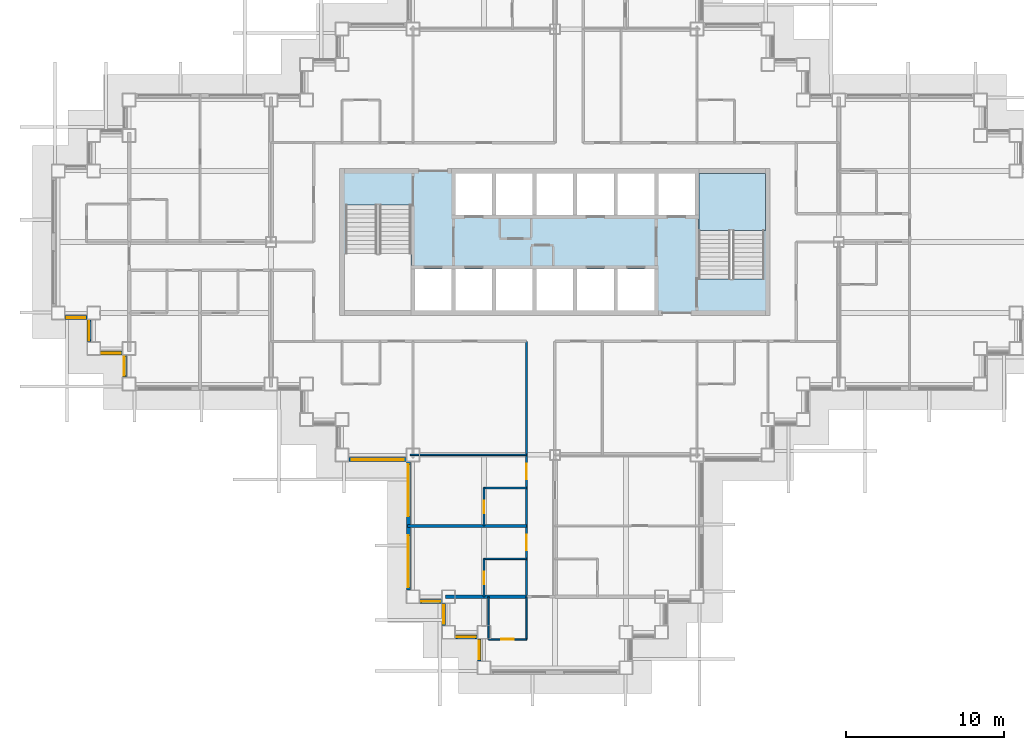
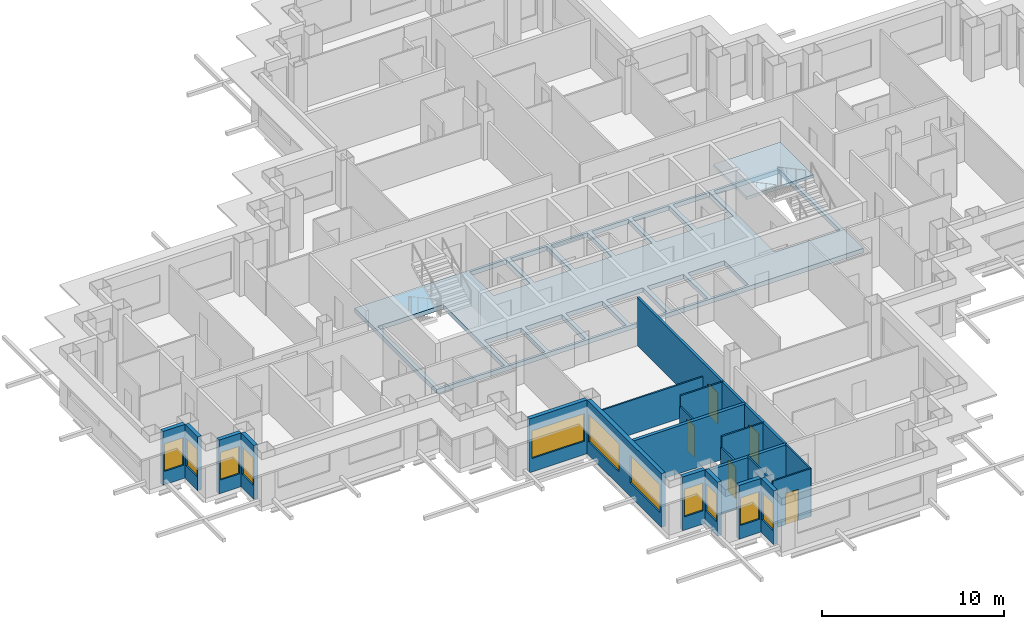
# One storey, part 4 of 17: 21 walls, 11 windows, 5 doors, 2 slabs, 16 openings, 1 element without a shape of its own.
"""IFC4 building model written with IfcOpenShell, lengths in metres."""

from ifc_helpers import new_model, si_unit, direction, frame, frame_2d, origin, place, context, subcontext, project, spatial, polyline, rectangle, outline, extrude, material, layer, layer_set, type_object, element, fill, aggregate, save


model = new_model("IFC4")

# Units and contexts
model_context = context("Model", 3, precision=1e-05, world=origin(), true_north=direction((0.0, 1.0)))
body_context = subcontext(model_context, "Body", "Model", "MODEL_VIEW")
ifc_project = project(units=[si_unit("LENGTHUNIT", "METRE"), si_unit("AREAUNIT", "SQUARE_METRE"), si_unit("VOLUMEUNIT", "CUBIC_METRE"), si_unit("PLANEANGLEUNIT", "RADIAN"), si_unit("MASSUNIT", "GRAM", prefix="KILO")], contexts=[model_context])

# Site, building, storey
site_placement = place(None, origin())
site = spatial("IfcSite", under=ifc_project, at=site_placement, CompositionType="ELEMENT")
building_placement = place(site_placement, origin())
building = spatial("IfcBuilding", under=site, at=building_placement, Name="Caravel Reach Hotel and Residences", CompositionType="ELEMENT")
storey_placement = place(building_placement, frame((0.0, 0.0, 136.800048828125)))
storey = spatial("IfcBuildingStorey", under=building, at=storey_placement, Name="L34", CompositionType="ELEMENT", Elevation=136.800048828125)

# Slab
ifc_material_1 = material(Name="Concrete C40", Category="concrete")
ifc_layer_1 = layer(ifc_material_1, 0.300048828125)
ifc_layer_set_1 = layer_set([ifc_layer_1], Name="Core floor slab 300 mm")
slab_type_1 = type_object("IfcSlabType", Name="Core floor slab 300 mm", PredefinedType="FLOOR", material=ifc_layer_set_1)
slab_1_placement = place(storey_placement, frame((0.0, 0.0, -0.300048828125)))
element("IfcSlab", 1, at=slab_1_placement, inside=storey, type_object=slab_type_1, Name="L34 core floor", PredefinedType="FLOOR", context=body_context, shape_type="SweptSolid", body=[
    extrude(outline(polyline([(18.0, 31.5), (45.0, 31.5), (45.0, 22.5), (18.0, 22.5), (18.0, 31.5)]), holes=[polyline([(22.625, 25.27490234375), (22.625, 22.64990234375), (24.9462890625, 22.64990234375), (24.9462890625, 25.27490234375), (22.625, 25.27490234375)]), polyline([(27.517822265625, 25.27490234375), (25.1962890625, 25.27490234375), (25.1962890625, 22.64990234375), (27.517822265625, 22.64990234375), (27.517822265625, 25.27490234375)]), polyline([(30.08935546875, 25.27490234375), (27.767822265625, 25.27490234375), (27.767822265625, 22.64990234375), (30.08935546875, 22.64990234375), (30.08935546875, 25.27490234375)]), polyline([(32.66064453125, 25.27490234375), (30.33935546875, 25.27490234375), (30.33935546875, 22.64990234375), (32.66064453125, 22.64990234375), (32.66064453125, 25.27490234375)]), polyline([(18.22509765625, 22.64990234375), (22.375, 22.64990234375), (22.375, 29.35009765625), (18.22509765625, 29.35009765625), (18.22509765625, 22.64990234375)]), polyline([(27.517822265625, 31.35009765625), (25.1962890625, 31.35009765625), (25.1962890625, 28.72509765625), (27.517822265625, 28.72509765625), (27.517822265625, 31.35009765625)]), polyline([(30.08935546875, 31.35009765625), (27.767822265625, 31.35009765625), (27.767822265625, 28.72509765625), (30.08935546875, 28.72509765625), (30.08935546875, 31.35009765625)]), polyline([(32.91064453125, 25.27490234375), (32.91064453125, 22.64990234375), (35.232177734375, 22.64990234375), (35.232177734375, 25.27490234375), (32.91064453125, 25.27490234375)]), polyline([(37.8037109375, 25.27490234375), (35.482177734375, 25.27490234375), (35.482177734375, 22.64990234375), (37.8037109375, 22.64990234375), (37.8037109375, 25.27490234375)]), polyline([(44.77490234375, 31.35009765625), (40.625, 31.35009765625), (40.625, 24.64990234375), (44.77490234375, 24.64990234375), (44.77490234375, 31.35009765625)]), polyline([(32.66064453125, 31.35009765625), (30.33935546875, 31.35009765625), (30.33935546875, 28.72509765625), (32.66064453125, 28.72509765625), (32.66064453125, 31.35009765625)]), polyline([(35.232177734375, 31.35009765625), (32.91064453125, 31.35009765625), (32.91064453125, 28.72509765625), (35.232177734375, 28.72509765625), (35.232177734375, 31.35009765625)]), polyline([(37.8037109375, 31.35009765625), (35.482177734375, 31.35009765625), (35.482177734375, 28.72509765625), (37.8037109375, 28.72509765625), (37.8037109375, 31.35009765625)]), polyline([(40.375, 31.35009765625), (38.0537109375, 31.35009765625), (38.0537109375, 28.72509765625), (40.375, 28.72509765625), (40.375, 31.35009765625)])]), origin(), (0.0, 0.0, 1.0), 0.300048828125),
])

# Stair, slab
ifc_material_2 = material(Name="Concrete C40", Category="concrete")
stair_type = type_object("IfcStairType", Name="Core stair", PredefinedType="HALF_TURN_STAIR", material=ifc_material_2)
stair_placement = place(storey_placement, origin())
stair = element("IfcStair", 2, at=stair_placement, inside=storey, type_object=stair_type, Name="L34 Exit stair B", PredefinedType="HALF_TURN_STAIR")
ifc_material_3 = material(Name="Concrete C40", Category="concrete")
ifc_layer_2 = layer(ifc_material_3, 0.199951171875)
ifc_layer_set_2 = layer_set([ifc_layer_2], Name="Core stair landing")
slab_type_2 = type_object("IfcSlabType", Name="Core stair landing", PredefinedType="LANDING", material=ifc_layer_set_2)
slab_2_placement = place(storey_placement, frame((0.0, 0.0, 1.599853515625)))
slab_2 = element("IfcSlab", 3, at=slab_2_placement, type_object=slab_type_2, Name="ST-B landing 1", PredefinedType="LANDING", context=body_context, shape_type="SweptSolid", body=[
    extrude(outline(polyline([(44.85009765625, 27.72998046875), (44.85009765625, 31.35009765625), (40.625, 31.35009765625), (40.625, 27.72998046875), (44.85009765625, 27.72998046875)])), origin(), (0.0, 0.0, 1.0), 0.2001953125),
])
aggregate(stair, [slab_2])

# Wall, opening, door
ifc_material_4 = material(Name="Gypsum board on steel stud", Category="steel")
ifc_layer_3 = layer(ifc_material_4, 0.10009765625)
ifc_layer_set_3 = layer_set([ifc_layer_3], Name="Bathroom pod wall 100 mm")
wall_type_1 = type_object("IfcWallType", Name="Bathroom pod wall 100 mm", PredefinedType="PARTITIONING", material=ifc_layer_set_3)
wall_1_placement = place(storey_placement, frame((27.300048828125, 1.800048828125, 0.0), z_axis=(0.0, 0.0, 1.0), x_axis=(1.0, 0.0, 0.0)))
wall_1 = element("IfcWall", 4, at=wall_1_placement, inside=storey, type_object=wall_type_1, Name="L34 wall w081", PredefinedType="PARTITIONING", context=body_context, shape_type="SweptSolid", body=[
    extrude(rectangle(XDim=2.39990234375, YDim=0.10009765625, at=frame_2d((1.199951171875, 0.0))), origin(), (0.0, 0.0, 1.0), 3.199951171875),
])
opening_1_placement = place(wall_1_placement, frame((0.800048828125, 0.0, 0.0)))
opening_1 = element("IfcOpeningElement", 5, at=opening_1_placement, cuts=wall_1, Name="Opening D34-047", PredefinedType="OPENING", context=body_context, shape_type="SweptSolid", body=[
    extrude(rectangle(XDim=0.800048828125, YDim=2.10009765625, at=frame_2d((0.39990234375, 1.050048828125))), frame((0.0, 0.06005859375, 0.0), z_axis=(0.0, -1.0, 0.0), x_axis=(1.0, 0.0, 0.0)), (0.0, 0.0, 1.0), 0.1201171875),
])
ifc_material_5 = material(Name="Timber and steel door leaf", Category="steel")
door_type_1 = type_object("IfcDoorType", Name="Bathroom door 800 x 2100", OperationType="SINGLE_SWING_LEFT", PredefinedType="DOOR", material=ifc_material_5)
door_1_placement = place(opening_1_placement, origin())
door_1 = element("IfcDoor", 6, at=door_1_placement, inside=storey, type_object=door_type_1, Name="door D34-047", OperationType="SINGLE_SWING_LEFT", OverallHeight=2.10009765625, OverallWidth=0.800048828125, PredefinedType="DOOR", context=body_context, shape_type="SweptSolid", body=[
    extrude(rectangle(XDim=0.800048828125, YDim=2.10009765625, at=frame_2d((0.39990234375, 1.050048828125))), frame((0.0, 0.02490234375, 0.0), z_axis=(0.0, -1.0, 0.0), x_axis=(1.0, 0.0, 0.0)), (0.0, 0.0, 1.0), 0.050048828125),
])
fill(opening_1, door_1)

# Walls
for number, where, z_axis, x_axis, name in (
    (7, (27.0, 11.39990234375, 0.0), (0.0, 0.0, 1.0), (1.0, 0.0, 0.0), "L34 wall w082"),
    (8, (27.0, 6.89990234375, 0.0), (0.0, 0.0, 1.0), (1.0, 0.0, 0.0), "L34 wall w098"),
):
    element("IfcWall", number, at=place(storey_placement, frame(where, z_axis=z_axis, x_axis=x_axis)), inside=storey, type_object=wall_type_1, Name=name, PredefinedType="PARTITIONING", context=body_context, shape_type="SweptSolid", body=[
        extrude(rectangle(XDim=2.699951171875, YDim=0.10009765625, at=frame_2d((1.35009765625, 0.0))), origin(), (0.0, 0.0, 1.0), 3.199951171875),
    ])

# Wall, opening, door
wall_2_placement = place(storey_placement, frame((27.0, 9.0, 0.0), z_axis=(0.0, 0.0, 1.0), x_axis=(0.0, 1.0, 0.0)))
wall_2 = element("IfcWall", 9, at=wall_2_placement, inside=storey, type_object=wall_type_1, Name="L34 wall w106", PredefinedType="PARTITIONING", context=body_context, shape_type="SweptSolid", body=[
    extrude(rectangle(XDim=2.39990234375, YDim=0.10009765625, at=frame_2d((1.199951171875, 0.0))), origin(), (0.0, 0.0, 1.0), 2.47998046875),
])
opening_2_placement = place(wall_2_placement, frame((0.800048828125, 0.0, 0.0)))
opening_2 = element("IfcOpeningElement", 10, at=opening_2_placement, cuts=wall_2, Name="Opening D34-036", PredefinedType="OPENING", context=body_context, shape_type="SweptSolid", body=[
    extrude(rectangle(XDim=0.800048828125, YDim=2.10009765625, at=frame_2d((0.39990234375, 1.050048828125))), frame((0.0, 0.06005859375, 0.0), z_axis=(0.0, -1.0, 0.0), x_axis=(1.0, 0.0, 0.0)), (0.0, 0.0, 1.0), 0.1201171875),
])
door_2_placement = place(opening_2_placement, origin())
door_2 = element("IfcDoor", 11, at=door_2_placement, inside=storey, type_object=door_type_1, Name="door D34-036", OperationType="SINGLE_SWING_RIGHT", OverallHeight=2.10009765625, OverallWidth=0.800048828125, PredefinedType="DOOR", context=body_context, shape_type="SweptSolid", body=[
    extrude(rectangle(XDim=0.800048828125, YDim=2.10009765625, at=frame_2d((0.39990234375, 1.050048828125))), frame((0.0, 0.02490234375, 0.0), z_axis=(0.0, -1.0, 0.0), x_axis=(1.0, 0.0, 0.0)), (0.0, 0.0, 1.0), 0.050048828125),
])
fill(opening_2, door_2)

wall_3_placement = place(storey_placement, frame((27.0, 4.5, 0.0), z_axis=(0.0, 0.0, 1.0), x_axis=(0.0, 1.0, 0.0)))
wall_3 = element("IfcWall", 12, at=wall_3_placement, inside=storey, type_object=wall_type_1, Name="L34 wall w107", PredefinedType="PARTITIONING", context=body_context, shape_type="SweptSolid", body=[
    extrude(rectangle(XDim=2.39990234375, YDim=0.10009765625, at=frame_2d((1.199951171875, 0.0))), origin(), (0.0, 0.0, 1.0), 2.47998046875),
])
opening_3_placement = place(wall_3_placement, frame((0.800048828125, 0.0, 0.0)))
opening_3 = element("IfcOpeningElement", 13, at=opening_3_placement, cuts=wall_3, Name="Opening D34-038", PredefinedType="OPENING", context=body_context, shape_type="SweptSolid", body=[
    extrude(rectangle(XDim=0.800048828125, YDim=2.10009765625, at=frame_2d((0.39990234375, 1.050048828125))), frame((0.0, 0.06005859375, 0.0), z_axis=(0.0, -1.0, 0.0), x_axis=(1.0, 0.0, 0.0)), (0.0, 0.0, 1.0), 0.1201171875),
])
door_3_placement = place(opening_3_placement, origin())
door_3 = element("IfcDoor", 14, at=door_3_placement, inside=storey, type_object=door_type_1, Name="door D34-038", OperationType="SINGLE_SWING_LEFT", OverallHeight=2.10009765625, OverallWidth=0.800048828125, PredefinedType="DOOR", context=body_context, shape_type="SweptSolid", body=[
    extrude(rectangle(XDim=0.800048828125, YDim=2.10009765625, at=frame_2d((0.39990234375, 1.050048828125))), frame((0.0, 0.02490234375, 0.0), z_axis=(0.0, -1.0, 0.0), x_axis=(1.0, 0.0, 0.0)), (0.0, 0.0, 1.0), 0.050048828125),
])
fill(opening_3, door_3)

# Walls
for number, where, z_axis, x_axis, name in (
    (15, (27.300048828125, 1.800048828125, 0.0), (0.0, 0.0, 1.0), (0.0, 1.0, 0.0), "L34 wall w108"),
    (16, (29.699951171875, 1.800048828125, 0.0), (0.0, 0.0, 1.0), (0.0, 1.0, 0.0), "L34 wall w111"),
):
    element("IfcWall", number, at=place(storey_placement, frame(where, z_axis=z_axis, x_axis=x_axis)), inside=storey, type_object=wall_type_1, Name=name, PredefinedType="PARTITIONING", context=body_context, shape_type="SweptSolid", body=[
        extrude(rectangle(XDim=2.699951171875, YDim=0.10009765625, at=frame_2d((1.35009765625, 0.0))), origin(), (0.0, 0.0, 1.0), 3.199951171875),
    ])

# Wall, openings, doors
ifc_material_6 = material(Name="Gypsum board on steel stud, fire-rated", Category="steel")
ifc_layer_4 = layer(ifc_material_6, 0.14990234375)
ifc_layer_set_4 = layer_set([ifc_layer_4], Name="Corridor wall 150 mm EI 60")
wall_type_2 = type_object("IfcWallType", Name="Corridor wall 150 mm EI 60", PredefinedType="PARTITIONING", material=ifc_layer_set_4)
wall_4_placement = place(storey_placement, frame((29.699951171875, 4.5, 0.0), z_axis=(0.0, 0.0, 1.0), x_axis=(0.0, 1.0, 0.0)))
wall_4 = element("IfcWall", 17, at=wall_4_placement, inside=storey, type_object=wall_type_2, Name="L34 wall w027", PredefinedType="PARTITIONING", context=body_context, shape_type="SweptSolid", body=[
    extrude(rectangle(XDim=16.199951171875, YDim=0.14990234375, at=frame_2d((8.10009765625, 0.0))), origin(), (0.0, 0.0, 1.0), 3.199951171875),
])
opening_4_placement = place(wall_4_placement, frame((7.449951171875, 0.0, 0.0)))
opening_4 = element("IfcOpeningElement", 18, at=opening_4_placement, cuts=wall_4, Name="Opening D34-035", PredefinedType="OPENING", context=body_context, shape_type="SweptSolid", body=[
    extrude(rectangle(XDim=1.0, YDim=2.10009765625, at=frame_2d((0.5, 1.050048828125))), frame((0.0, 0.0849609375, 0.0), z_axis=(0.0, -1.0, 0.0), x_axis=(1.0, 0.0, 0.0)), (0.0, 0.0, 1.0), 0.169921875),
])
opening_5_placement = place(wall_4_placement, frame((2.949951171875, 0.0, 0.0)))
opening_5 = element("IfcOpeningElement", 19, at=opening_5_placement, cuts=wall_4, Name="Opening D34-037", PredefinedType="OPENING", context=body_context, shape_type="SweptSolid", body=[
    extrude(rectangle(XDim=1.0, YDim=2.10009765625, at=frame_2d((0.5, 1.050048828125))), frame((0.0, 0.0849609375, 0.0), z_axis=(0.0, -1.0, 0.0), x_axis=(1.0, 0.0, 0.0)), (0.0, 0.0, 1.0), 0.169921875),
])
ifc_material_7 = material(Name="Steel fire door leaf", Category="steel")
door_type_2 = type_object("IfcDoorType", Name="Guest room door 1000 x 2100 EI 30", OperationType="SINGLE_SWING_LEFT", PredefinedType="DOOR", material=ifc_material_7)
door_4_placement = place(opening_4_placement, origin())
door_4 = element("IfcDoor", 20, at=door_4_placement, inside=storey, type_object=door_type_2, Name="door D34-035", OperationType="SINGLE_SWING_RIGHT", OverallHeight=2.10009765625, OverallWidth=1.0, PredefinedType="DOOR", context=body_context, shape_type="SweptSolid", body=[
    extrude(rectangle(XDim=1.0, YDim=2.10009765625, at=frame_2d((0.5, 1.050048828125))), frame((0.0, 0.02490234375, 0.0), z_axis=(0.0, -1.0, 0.0), x_axis=(1.0, 0.0, 0.0)), (0.0, 0.0, 1.0), 0.050048828125),
])
fill(opening_4, door_4)
door_5_placement = place(opening_5_placement, origin())
door_5 = element("IfcDoor", 21, at=door_5_placement, inside=storey, type_object=door_type_2, Name="door D34-037", OperationType="SINGLE_SWING_RIGHT", OverallHeight=2.10009765625, OverallWidth=1.0, PredefinedType="DOOR", context=body_context, shape_type="SweptSolid", body=[
    extrude(rectangle(XDim=1.0, YDim=2.10009765625, at=frame_2d((0.5, 1.050048828125))), frame((0.0, 0.02490234375, 0.0), z_axis=(0.0, -1.0, 0.0), x_axis=(1.0, 0.0, 0.0)), (0.0, 0.0, 1.0), 0.050048828125),
])
fill(opening_5, door_5)

# Wall, opening, window
ifc_material_8 = material(Name="Insulated rainscreen wall, aluminium cladding", Category="aluminium")
ifc_layer_5 = layer(ifc_material_8, 0.25)
ifc_layer_set_5 = layer_set([ifc_layer_5], Name="EW1 Tower rainscreen wall")
wall_type_3 = type_object("IfcWallType", Name="EW1 Tower rainscreen wall", PredefinedType="SOLIDWALL", material=ifc_layer_set_5)
wall_5_placement = place(storey_placement, frame((22.925048828125, 4.199951171875, 0.0), z_axis=(0.0, 0.0, 1.0), x_axis=(1.0, 0.0, 0.0)))
wall_5 = element("IfcWall", 22, at=wall_5_placement, inside=storey, type_object=wall_type_3, Name="External wall L34 S1.1", PredefinedType="SOLIDWALL", context=body_context, shape_type="SweptSolid", body=[
    extrude(rectangle(XDim=1.39990234375, YDim=0.25, at=frame_2d((0.699951171875, 0.0))), origin(), (0.0, 0.0, 1.0), 3.599853515625),
])
opening_6_placement = place(wall_5_placement, frame((0.10009765625, 0.0, 0.89990234375)))
opening_6 = element("IfcOpeningElement", 23, at=opening_6_placement, cuts=wall_5, Name="Opening WN10", PredefinedType="OPENING", context=body_context, shape_type="SweptSolid", body=[
    extrude(rectangle(XDim=1.199951171875, YDim=1.85009765625, at=frame_2d((0.60009765625, 0.925048828125))), frame((0.0, 0.135009765625, 0.0), z_axis=(0.0, -1.0, 0.0), x_axis=(1.0, 0.0, 0.0)), (0.0, 0.0, 1.0), 0.27001953125),
])
ifc_material_9 = material(Name="Dark low-e glazing in black aluminium frame", Category="aluminium")
window_type_1 = type_object("IfcWindowType", Name="Hotel suite corner window 1200 x 1850", PartitioningType="SINGLE_PANEL", PredefinedType="WINDOW", material=ifc_material_9)
window_1_placement = place(opening_6_placement, origin())
window_1 = element("IfcWindow", 24, at=window_1_placement, inside=storey, type_object=window_type_1, Name="Window L34 S1.1.1", OverallHeight=1.85009765625, OverallWidth=1.199951171875, PartitioningType="SINGLE_PANEL", PredefinedType="WINDOW", context=body_context, shape_type="SweptSolid", body=[
    extrude(rectangle(XDim=1.199951171875, YDim=1.85009765625, at=frame_2d((0.60009765625, 0.925048828125))), frame((0.0, 0.030029296875, 0.0), z_axis=(0.0, -1.0, 0.0), x_axis=(1.0, 0.0, 0.0)), (0.0, 0.0, 1.0), 0.06005859375),
])
fill(opening_6, window_1)

wall_6_placement = place(storey_placement, frame((24.449951171875, 4.074951171875, 0.0), z_axis=(0.0, 0.0, 1.0), x_axis=(0.0, -1.0, 0.0)))
wall_6 = element("IfcWall", 25, at=wall_6_placement, inside=storey, type_object=wall_type_3, Name="External wall L34 W2.1", PredefinedType="SOLIDWALL", context=body_context, shape_type="SweptSolid", body=[
    extrude(rectangle(XDim=1.39990234375, YDim=0.25, at=frame_2d((0.699951171875, 0.0))), origin(), (0.0, 0.0, 1.0), 3.599853515625),
])
opening_7_placement = place(wall_6_placement, frame((0.10009765625, 0.0, 0.89990234375)))
opening_7 = element("IfcOpeningElement", 26, at=opening_7_placement, cuts=wall_6, Name="Opening WN10", PredefinedType="OPENING", context=body_context, shape_type="SweptSolid", body=[
    extrude(rectangle(XDim=1.199951171875, YDim=1.85009765625, at=frame_2d((0.60009765625, 0.925048828125))), frame((0.0, 0.135009765625, 0.0), z_axis=(0.0, -1.0, 0.0), x_axis=(1.0, 0.0, 0.0)), (0.0, 0.0, 1.0), 0.27001953125),
])
window_2_placement = place(opening_7_placement, origin())
window_2 = element("IfcWindow", 27, at=window_2_placement, inside=storey, type_object=window_type_1, Name="Window L34 W2.1.1", OverallHeight=1.85009765625, OverallWidth=1.199951171875, PartitioningType="SINGLE_PANEL", PredefinedType="WINDOW", context=body_context, shape_type="SweptSolid", body=[
    extrude(rectangle(XDim=1.199951171875, YDim=1.85009765625, at=frame_2d((0.60009765625, 0.925048828125))), frame((0.0, 0.030029296875, 0.0), z_axis=(0.0, -1.0, 0.0), x_axis=(1.0, 0.0, 0.0)), (0.0, 0.0, 1.0), 0.06005859375),
])
fill(opening_7, window_2)

wall_7_placement = place(storey_placement, frame((25.175048828125, 1.949951171875, 0.0), z_axis=(0.0, 0.0, 1.0), x_axis=(1.0, 0.0, 0.0)))
wall_7 = element("IfcWall", 28, at=wall_7_placement, inside=storey, type_object=wall_type_3, Name="External wall L34 S3.1", PredefinedType="SOLIDWALL", context=body_context, shape_type="SweptSolid", body=[
    extrude(rectangle(XDim=1.39990234375, YDim=0.25, at=frame_2d((0.699951171875, 0.0))), origin(), (0.0, 0.0, 1.0), 3.599853515625),
])
opening_8_placement = place(wall_7_placement, frame((0.10009765625, 0.0, 0.89990234375)))
opening_8 = element("IfcOpeningElement", 29, at=opening_8_placement, cuts=wall_7, Name="Opening WN10", PredefinedType="OPENING", context=body_context, shape_type="SweptSolid", body=[
    extrude(rectangle(XDim=1.199951171875, YDim=1.85009765625, at=frame_2d((0.60009765625, 0.925048828125))), frame((0.0, 0.135009765625, 0.0), z_axis=(0.0, -1.0, 0.0), x_axis=(1.0, 0.0, 0.0)), (0.0, 0.0, 1.0), 0.27001953125),
])
window_3_placement = place(opening_8_placement, origin())
window_3 = element("IfcWindow", 30, at=window_3_placement, inside=storey, type_object=window_type_1, Name="Window L34 S3.1.1", OverallHeight=1.85009765625, OverallWidth=1.199951171875, PartitioningType="SINGLE_PANEL", PredefinedType="WINDOW", context=body_context, shape_type="SweptSolid", body=[
    extrude(rectangle(XDim=1.199951171875, YDim=1.85009765625, at=frame_2d((0.60009765625, 0.925048828125))), frame((0.0, 0.030029296875, 0.0), z_axis=(0.0, -1.0, 0.0), x_axis=(1.0, 0.0, 0.0)), (0.0, 0.0, 1.0), 0.06005859375),
])
fill(opening_8, window_3)

wall_8_placement = place(storey_placement, frame((26.699951171875, 1.824951171875, 0.0), z_axis=(0.0, 0.0, 1.0), x_axis=(0.0, -1.0, 0.0)))
wall_8 = element("IfcWall", 31, at=wall_8_placement, inside=storey, type_object=wall_type_3, Name="External wall L34 W4.1", PredefinedType="SOLIDWALL", context=body_context, shape_type="SweptSolid", body=[
    extrude(rectangle(XDim=1.39990234375, YDim=0.25, at=frame_2d((0.699951171875, 0.0))), origin(), (0.0, 0.0, 1.0), 3.599853515625),
])
opening_9_placement = place(wall_8_placement, frame((0.10009765625, 0.0, 0.89990234375)))
opening_9 = element("IfcOpeningElement", 32, at=opening_9_placement, cuts=wall_8, Name="Opening WN10", PredefinedType="OPENING", context=body_context, shape_type="SweptSolid", body=[
    extrude(rectangle(XDim=1.199951171875, YDim=1.85009765625, at=frame_2d((0.60009765625, 0.925048828125))), frame((0.0, 0.135009765625, 0.0), z_axis=(0.0, -1.0, 0.0), x_axis=(1.0, 0.0, 0.0)), (0.0, 0.0, 1.0), 0.27001953125),
])
window_4_placement = place(opening_9_placement, origin())
window_4 = element("IfcWindow", 33, at=window_4_placement, inside=storey, type_object=window_type_1, Name="Window L34 W4.1.1", OverallHeight=1.85009765625, OverallWidth=1.199951171875, PartitioningType="SINGLE_PANEL", PredefinedType="WINDOW", context=body_context, shape_type="SweptSolid", body=[
    extrude(rectangle(XDim=1.199951171875, YDim=1.85009765625, at=frame_2d((0.60009765625, 0.925048828125))), frame((0.0, 0.030029296875, 0.0), z_axis=(0.0, -1.0, 0.0), x_axis=(1.0, 0.0, 0.0)), (0.0, 0.0, 1.0), 0.06005859375),
])
fill(opening_9, window_4)

wall_9_placement = place(storey_placement, frame((0.425048828125, 22.199951171875, 0.0), z_axis=(0.0, 0.0, 1.0), x_axis=(1.0, 0.0, 0.0)))
wall_9 = element("IfcWall", 34, at=wall_9_placement, inside=storey, type_object=wall_type_3, Name="External wall L34 S51.1", PredefinedType="SOLIDWALL", context=body_context, shape_type="SweptSolid", body=[
    extrude(rectangle(XDim=1.39990234375, YDim=0.25, at=frame_2d((0.699951171875, 0.0))), origin(), (0.0, 0.0, 1.0), 3.599853515625),
])
opening_10_placement = place(wall_9_placement, frame((0.10009765625, 0.0, 0.89990234375)))
opening_10 = element("IfcOpeningElement", 35, at=opening_10_placement, cuts=wall_9, Name="Opening WN10", PredefinedType="OPENING", context=body_context, shape_type="SweptSolid", body=[
    extrude(rectangle(XDim=1.199951171875, YDim=1.85009765625, at=frame_2d((0.60009765625, 0.925048828125))), frame((0.0, 0.135009765625, 0.0), z_axis=(0.0, -1.0, 0.0), x_axis=(1.0, 0.0, 0.0)), (0.0, 0.0, 1.0), 0.27001953125),
])
window_5_placement = place(opening_10_placement, origin())
window_5 = element("IfcWindow", 36, at=window_5_placement, inside=storey, type_object=window_type_1, Name="Window L34 S51.1.1", OverallHeight=1.85009765625, OverallWidth=1.199951171875, PartitioningType="SINGLE_PANEL", PredefinedType="WINDOW", context=body_context, shape_type="SweptSolid", body=[
    extrude(rectangle(XDim=1.199951171875, YDim=1.85009765625, at=frame_2d((0.60009765625, 0.925048828125))), frame((0.0, 0.030029296875, 0.0), z_axis=(0.0, -1.0, 0.0), x_axis=(1.0, 0.0, 0.0)), (0.0, 0.0, 1.0), 0.06005859375),
])
fill(opening_10, window_5)

wall_10_placement = place(storey_placement, frame((1.949951171875, 22.074951171875, 0.0), z_axis=(0.0, 0.0, 1.0), x_axis=(0.0, -1.0, 0.0)))
wall_10 = element("IfcWall", 37, at=wall_10_placement, inside=storey, type_object=wall_type_3, Name="External wall L34 W52.1", PredefinedType="SOLIDWALL", context=body_context, shape_type="SweptSolid", body=[
    extrude(rectangle(XDim=1.39990234375, YDim=0.25, at=frame_2d((0.699951171875, 0.0))), origin(), (0.0, 0.0, 1.0), 3.599853515625),
])
opening_11_placement = place(wall_10_placement, frame((0.10009765625, 0.0, 0.89990234375)))
opening_11 = element("IfcOpeningElement", 38, at=opening_11_placement, cuts=wall_10, Name="Opening WN10", PredefinedType="OPENING", context=body_context, shape_type="SweptSolid", body=[
    extrude(rectangle(XDim=1.199951171875, YDim=1.85009765625, at=frame_2d((0.60009765625, 0.925048828125))), frame((0.0, 0.135009765625, 0.0), z_axis=(0.0, -1.0, 0.0), x_axis=(1.0, 0.0, 0.0)), (0.0, 0.0, 1.0), 0.27001953125),
])
window_6_placement = place(opening_11_placement, origin())
window_6 = element("IfcWindow", 39, at=window_6_placement, inside=storey, type_object=window_type_1, Name="Window L34 W52.1.1", OverallHeight=1.85009765625, OverallWidth=1.199951171875, PartitioningType="SINGLE_PANEL", PredefinedType="WINDOW", context=body_context, shape_type="SweptSolid", body=[
    extrude(rectangle(XDim=1.199951171875, YDim=1.85009765625, at=frame_2d((0.60009765625, 0.925048828125))), frame((0.0, 0.030029296875, 0.0), z_axis=(0.0, -1.0, 0.0), x_axis=(1.0, 0.0, 0.0)), (0.0, 0.0, 1.0), 0.06005859375),
])
fill(opening_11, window_6)

wall_11_placement = place(storey_placement, frame((2.675048828125, 19.949951171875, 0.0), z_axis=(0.0, 0.0, 1.0), x_axis=(1.0, 0.0, 0.0)))
wall_11 = element("IfcWall", 40, at=wall_11_placement, inside=storey, type_object=wall_type_3, Name="External wall L34 S53.1", PredefinedType="SOLIDWALL", context=body_context, shape_type="SweptSolid", body=[
    extrude(rectangle(XDim=1.39990234375, YDim=0.25, at=frame_2d((0.699951171875, 0.0))), origin(), (0.0, 0.0, 1.0), 3.599853515625),
])
opening_12_placement = place(wall_11_placement, frame((0.10009765625, 0.0, 0.89990234375)))
opening_12 = element("IfcOpeningElement", 41, at=opening_12_placement, cuts=wall_11, Name="Opening WN10", PredefinedType="OPENING", context=body_context, shape_type="SweptSolid", body=[
    extrude(rectangle(XDim=1.199951171875, YDim=1.85009765625, at=frame_2d((0.60009765625, 0.925048828125))), frame((0.0, 0.135009765625, 0.0), z_axis=(0.0, -1.0, 0.0), x_axis=(1.0, 0.0, 0.0)), (0.0, 0.0, 1.0), 0.27001953125),
])
window_7_placement = place(opening_12_placement, origin())
window_7 = element("IfcWindow", 42, at=window_7_placement, inside=storey, type_object=window_type_1, Name="Window L34 S53.1.1", OverallHeight=1.85009765625, OverallWidth=1.199951171875, PartitioningType="SINGLE_PANEL", PredefinedType="WINDOW", context=body_context, shape_type="SweptSolid", body=[
    extrude(rectangle(XDim=1.199951171875, YDim=1.85009765625, at=frame_2d((0.60009765625, 0.925048828125))), frame((0.0, 0.030029296875, 0.0), z_axis=(0.0, -1.0, 0.0), x_axis=(1.0, 0.0, 0.0)), (0.0, 0.0, 1.0), 0.06005859375),
])
fill(opening_12, window_7)

wall_12_placement = place(storey_placement, frame((4.199951171875, 19.824951171875, 0.0), z_axis=(0.0, 0.0, 1.0), x_axis=(0.0, -1.0, 0.0)))
wall_12 = element("IfcWall", 43, at=wall_12_placement, inside=storey, type_object=wall_type_3, Name="External wall L34 W54.1", PredefinedType="SOLIDWALL", context=body_context, shape_type="SweptSolid", body=[
    extrude(rectangle(XDim=1.39990234375, YDim=0.25, at=frame_2d((0.699951171875, 0.0))), origin(), (0.0, 0.0, 1.0), 3.599853515625),
])
opening_13_placement = place(wall_12_placement, frame((0.10009765625, 0.0, 0.89990234375)))
opening_13 = element("IfcOpeningElement", 44, at=opening_13_placement, cuts=wall_12, Name="Opening WN10", PredefinedType="OPENING", context=body_context, shape_type="SweptSolid", body=[
    extrude(rectangle(XDim=1.199951171875, YDim=1.85009765625, at=frame_2d((0.60009765625, 0.925048828125))), frame((0.0, 0.135009765625, 0.0), z_axis=(0.0, -1.0, 0.0), x_axis=(1.0, 0.0, 0.0)), (0.0, 0.0, 1.0), 0.27001953125),
])
window_8_placement = place(opening_13_placement, origin())
window_8 = element("IfcWindow", 45, at=window_8_placement, inside=storey, type_object=window_type_1, Name="Window L34 W54.1.1", OverallHeight=1.85009765625, OverallWidth=1.199951171875, PartitioningType="SINGLE_PANEL", PredefinedType="WINDOW", context=body_context, shape_type="SweptSolid", body=[
    extrude(rectangle(XDim=1.199951171875, YDim=1.85009765625, at=frame_2d((0.60009765625, 0.925048828125))), frame((0.0, 0.030029296875, 0.0), z_axis=(0.0, -1.0, 0.0), x_axis=(1.0, 0.0, 0.0)), (0.0, 0.0, 1.0), 0.06005859375),
])
fill(opening_13, window_8)

wall_13_placement = place(storey_placement, frame((18.425048828125, 13.199951171875, 0.0), z_axis=(0.0, 0.0, 1.0), x_axis=(1.0, 0.0, 0.0)))
wall_13 = element("IfcWall", 46, at=wall_13_placement, inside=storey, type_object=wall_type_3, Name="External wall L34 S59.1", PredefinedType="SOLIDWALL", context=body_context, shape_type="SweptSolid", body=[
    extrude(rectangle(XDim=3.64990234375, YDim=0.25, at=frame_2d((1.824951171875, 0.0))), origin(), (0.0, 0.0, 1.0), 3.599853515625),
])
opening_14_placement = place(wall_13_placement, frame((0.175048828125, 0.0, 0.89990234375)))
opening_14 = element("IfcOpeningElement", 47, at=opening_14_placement, cuts=wall_13, Name="Opening WN7", PredefinedType="OPENING", context=body_context, shape_type="SweptSolid", body=[
    extrude(rectangle(XDim=3.300048828125, YDim=1.85009765625, at=frame_2d((1.64990234375, 0.925048828125))), frame((0.0, 0.135009765625, 0.0), z_axis=(0.0, -1.0, 0.0), x_axis=(1.0, 0.0, 0.0)), (0.0, 0.0, 1.0), 0.27001953125),
])
ifc_material_10 = material(Name="Dark low-e glazing in black aluminium frame", Category="aluminium")
window_type_2 = type_object("IfcWindowType", Name="Hotel guest room window 3300 x 1850", PartitioningType="SINGLE_PANEL", PredefinedType="WINDOW", material=ifc_material_10)
window_9_placement = place(opening_14_placement, origin())
window_9 = element("IfcWindow", 48, at=window_9_placement, inside=storey, type_object=window_type_2, Name="Window L34 S59.1.1", OverallHeight=1.85009765625, OverallWidth=3.300048828125, PartitioningType="SINGLE_PANEL", PredefinedType="WINDOW", context=body_context, shape_type="SweptSolid", body=[
    extrude(rectangle(XDim=3.300048828125, YDim=1.85009765625, at=frame_2d((1.64990234375, 0.925048828125))), frame((0.0, 0.030029296875, 0.0), z_axis=(0.0, -1.0, 0.0), x_axis=(1.0, 0.0, 0.0)), (0.0, 0.0, 1.0), 0.06005859375),
])
fill(opening_14, window_9)

# Wall, openings, windows
wall_14_placement = place(storey_placement, frame((22.199951171875, 13.074951171875, 0.0), z_axis=(0.0, 0.0, 1.0), x_axis=(0.0, -1.0, 0.0)))
wall_14 = element("IfcWall", 49, at=wall_14_placement, inside=storey, type_object=wall_type_3, Name="External wall L34 W60.1", PredefinedType="SOLIDWALL", context=body_context, shape_type="SweptSolid", body=[
    extrude(rectangle(XDim=8.14990234375, YDim=0.25, at=frame_2d((4.074951171875, 0.0))), origin(), (0.0, 0.0, 1.0), 3.599853515625),
])
opening_15_placement = place(wall_14_placement, frame((0.175048828125, 0.0, 0.89990234375)))
opening_15 = element("IfcOpeningElement", 50, at=opening_15_placement, cuts=wall_14, Name="Opening WN7", PredefinedType="OPENING", context=body_context, shape_type="SweptSolid", body=[
    extrude(rectangle(XDim=3.300048828125, YDim=1.85009765625, at=frame_2d((1.64990234375, 0.925048828125))), frame((0.0, 0.135009765625, 0.0), z_axis=(0.0, -1.0, 0.0), x_axis=(1.0, 0.0, 0.0)), (0.0, 0.0, 1.0), 0.27001953125),
])
opening_16_placement = place(wall_14_placement, frame((4.675048828125, 0.0, 0.89990234375)))
opening_16 = element("IfcOpeningElement", 51, at=opening_16_placement, cuts=wall_14, Name="Opening WN7", PredefinedType="OPENING", context=body_context, shape_type="SweptSolid", body=[
    extrude(rectangle(XDim=3.300048828125, YDim=1.85009765625, at=frame_2d((1.64990234375, 0.925048828125))), frame((0.0, 0.135009765625, 0.0), z_axis=(0.0, -1.0, 0.0), x_axis=(1.0, 0.0, 0.0)), (0.0, 0.0, 1.0), 0.27001953125),
])
window_10_placement = place(opening_15_placement, origin())
window_10 = element("IfcWindow", 52, at=window_10_placement, inside=storey, type_object=window_type_2, Name="Window L34 W60.1.1", OverallHeight=1.85009765625, OverallWidth=3.300048828125, PartitioningType="SINGLE_PANEL", PredefinedType="WINDOW", context=body_context, shape_type="SweptSolid", body=[
    extrude(rectangle(XDim=3.300048828125, YDim=1.85009765625, at=frame_2d((1.64990234375, 0.925048828125))), frame((0.0, 0.030029296875, 0.0), z_axis=(0.0, -1.0, 0.0), x_axis=(1.0, 0.0, 0.0)), (0.0, 0.0, 1.0), 0.06005859375),
])
fill(opening_15, window_10)
window_11_placement = place(opening_16_placement, origin())
window_11 = element("IfcWindow", 53, at=window_11_placement, inside=storey, type_object=window_type_2, Name="Window L34 W60.1.2", OverallHeight=1.85009765625, OverallWidth=3.300048828125, PartitioningType="SINGLE_PANEL", PredefinedType="WINDOW", context=body_context, shape_type="SweptSolid", body=[
    extrude(rectangle(XDim=3.300048828125, YDim=1.85009765625, at=frame_2d((1.64990234375, 0.925048828125))), frame((0.0, 0.030029296875, 0.0), z_axis=(0.0, -1.0, 0.0), x_axis=(1.0, 0.0, 0.0)), (0.0, 0.0, 1.0), 0.06005859375),
])
fill(opening_16, window_11)

# Walls
ifc_material_11 = material(Name="Gypsum board on steel stud", Category="steel")
ifc_layer_6 = layer(ifc_material_11, 0.10009765625)
ifc_layer_set_6 = layer_set([ifc_layer_6], Name="Partition 100 mm")
wall_type_4 = type_object("IfcWallType", Name="Partition 100 mm", PredefinedType="PARTITIONING", material=ifc_layer_set_6)
wall_15_placement = place(storey_placement, frame((22.31005859375, 13.5, 0.0), z_axis=(0.0, 0.0, 1.0), x_axis=(1.0, 0.0, 0.0)))
element("IfcWall", 54, at=wall_15_placement, inside=storey, type_object=wall_type_4, Name="L34 wall w042", PredefinedType="PARTITIONING", context=body_context, shape_type="SweptSolid", body=[
    extrude(rectangle(XDim=7.389892578125, YDim=0.10009765625, at=frame_2d((3.69482421875, 0.0))), origin(), (0.0, 0.0, 1.0), 2.280029296875),
])
ifc_material_12 = material(Name="Autoclaved aerated block wall")
ifc_layer_7 = layer(ifc_material_12, 0.199951171875)
ifc_layer_set_7 = layer_set([ifc_layer_7], Name="Party wall 200 mm EI 60")
wall_type_5 = type_object("IfcWallType", Name="Party wall 200 mm EI 60", PredefinedType="PARTITIONING", material=ifc_layer_set_7)
wall_16_placement = place(storey_placement, frame((24.56005859375, 4.5, 0.0), z_axis=(0.0, 0.0, 1.0), x_axis=(1.0, 0.0, 0.0)))
element("IfcWall", 55, at=wall_16_placement, inside=storey, type_object=wall_type_5, Name="L34 wall w070", PredefinedType="PARTITIONING", context=body_context, shape_type="SweptSolid", body=[
    extrude(rectangle(XDim=5.139892578125, YDim=0.199951171875, at=frame_2d((2.56982421875, 0.0))), origin(), (0.0, 0.0, 1.0), 3.199951171875),
])
wall_17_placement = place(storey_placement, frame((22.135009765625, 9.0, 0.0), z_axis=(0.0, 0.0, 1.0), x_axis=(1.0, 0.0, 0.0)))
element("IfcWall", 56, at=wall_17_placement, inside=storey, type_object=wall_type_5, Name="L34 wall w074", PredefinedType="PARTITIONING", context=body_context, shape_type="SweptSolid", body=[
    extrude(rectangle(XDim=7.56494140625, YDim=0.199951171875, at=frame_2d((3.782470703125, 0.0))), origin(), (0.0, 0.0, 1.0), 3.199951171875),
])

save(model, "model.ifc")
